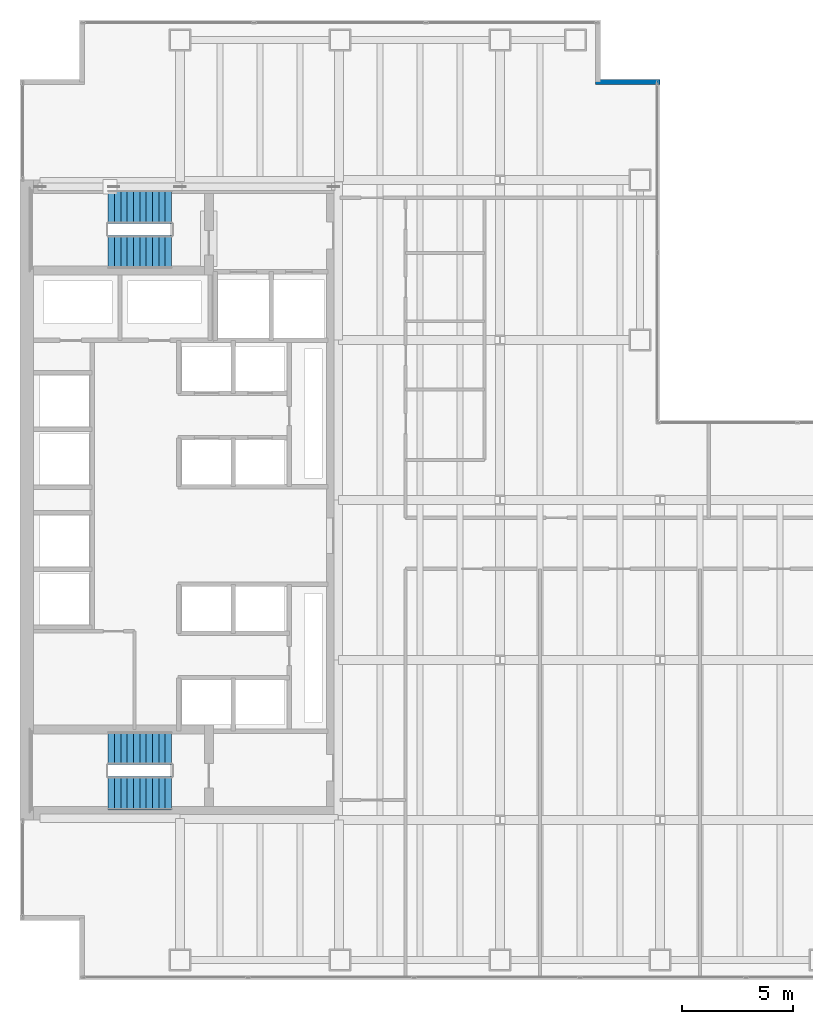
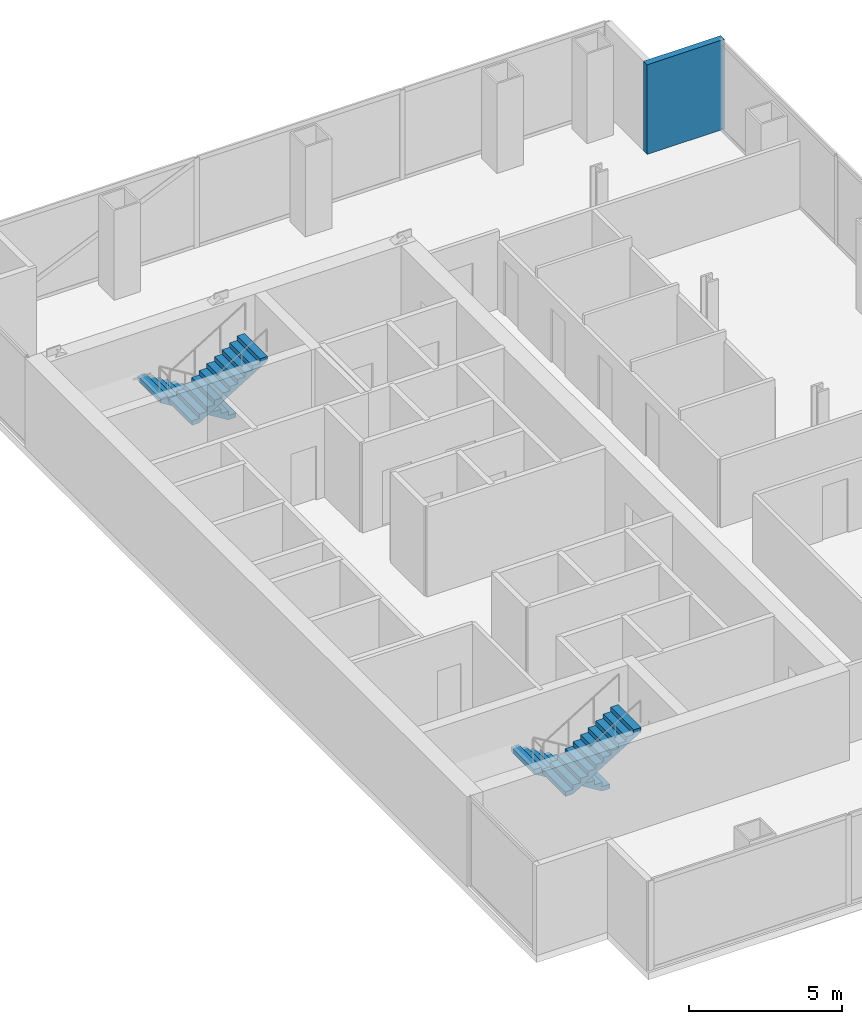
# One storey, part 22 of 23: 4 stair flights, 1 wall, 2 elements without a shape of their own.
"""IFC4 building model written with IfcOpenShell, lengths in metres."""

from ifc_helpers import new_model, si_unit, direction, frame, frame_2d, origin, place, context, subcontext, project, spatial, polyline, rectangle, outline, extrude, material, layer, layer_set, type_object, element, aggregate, save


model = new_model("IFC4")

# Units and contexts
model_context = context("Model", 3, precision=1e-05, world=origin(), true_north=direction((0.0, 1.0)))
body_context = subcontext(model_context, "Body", "Model", "MODEL_VIEW")
ifc_project = project(units=[si_unit("LENGTHUNIT", "METRE"), si_unit("AREAUNIT", "SQUARE_METRE"), si_unit("VOLUMEUNIT", "CUBIC_METRE"), si_unit("PLANEANGLEUNIT", "RADIAN"), si_unit("MASSUNIT", "GRAM", prefix="KILO")], contexts=[model_context])

# Site, building, storey
site_placement = place(None, origin())
site = spatial("IfcSite", under=ifc_project, at=site_placement, CompositionType="ELEMENT")
building_placement = place(site_placement, origin())
building = spatial("IfcBuilding", under=site, at=building_placement, Name="Cobrela Telecom Tower", CompositionType="ELEMENT")
storey_placement = place(building_placement, frame((0.0, 0.0, 54.25)))
storey = spatial("IfcBuildingStorey", under=building, at=storey_placement, Name="L13", CompositionType="ELEMENT", Elevation=54.25)

# Wall
ifc_material = material(Name="Concrete C40/50", Category="concrete")
ifc_layer = layer(ifc_material, 0.239990234375)
ifc_layer_set = layer_set([ifc_layer], Name="Concrete C40/50")
wall_type = type_object("IfcWallType", Name="WALL-EXT-300", PredefinedType="STANDARD", material=ifc_layer_set)
wall_placement = place(storey_placement, frame((25.889892578125, 40.409912109375, 0.0), z_axis=(0.0, 0.0, 1.0), x_axis=(1.0, 0.0, 0.0)))
element("IfcWall", 1, at=wall_placement, inside=storey, type_object=wall_type, Name="L13 Insulated Facade Wall 09", PredefinedType="STANDARD", context=body_context, shape_type="SweptSolid", body=[
    extrude(rectangle(XDim=2.91015625, YDim=0.239990234375, at=frame_2d((1.455078125, 0.0))), origin(), (0.0, 0.0, 1.0), 3.570068359375),
])

# Stair, stair flights
stair_type = type_object("IfcStairType", Name="STAIR-CORE", PredefinedType="HALF_TURN_STAIR", material=ifc_material)
stair_1_placement = place(storey_placement, origin())
stair_1 = element("IfcStair", 2, at=stair_1_placement, inside=storey, type_object=stair_type, Name="L13 Smokeproof Exit Stair ST1", PredefinedType="HALF_TURN_STAIR")
stair_flight_type = type_object("IfcStairFlightType", Name="FLIGHT-CORE", PredefinedType="STRAIGHT", material=ifc_material)
stair_flight_1_placement = place(storey_placement, frame((6.820068359375, 34.800048828125, 0.0), z_axis=(0.0, 0.0, 1.0), x_axis=(-1.0, 0.0, 0.0)))
stair_flight_1 = element("IfcStairFlight", 3, at=stair_flight_1_placement, type_object=stair_flight_type, Name="ST1 flight 1", NumberOfRisers=11, NumberOfTreads=10, PredefinedType="STRAIGHT", RiserHeight=0.175, TreadLength=0.285, context=body_context, shape_type="SweptSolid", body=[
    extrude(outline(polyline([(0.0, 0.0), (0.0, 0.175048828125), (0.284912109375, 0.175048828125), (0.284912109375, 0.35009765625), (0.570068359375, 0.35009765625), (0.570068359375, 0.52490234375), (0.85498046875, 0.52490234375), (0.85498046875, 0.699951171875), (1.139892578125, 0.699951171875), (1.139892578125, 0.875), (1.425048828125, 0.875), (1.425048828125, 1.050048828125), (1.7099609375, 1.050048828125), (1.7099609375, 1.22509765625), (1.9951171875, 1.22509765625), (1.9951171875, 1.39990234375), (2.280029296875, 1.39990234375), (2.280029296875, 1.574951171875), (2.56494140625, 1.574951171875), (2.56494140625, 1.75), (2.85009765625, 1.75), (2.85009765625, 1.925048828125), (2.85009765625, 1.573974609375), (0.286376953125, 0.0), (0.0, 0.0)])), frame((0.0, 0.75, 0.0), z_axis=(0.0, -1.0, 0.0), x_axis=(1.0, 0.0, 0.0)), (0.0, 0.0, 1.0), 1.5),
])
stair_flight_2_placement = place(storey_placement, frame((3.969970703125, 32.75, 1.925048828125), z_axis=(0.0, 0.0, 1.0), x_axis=(1.0, 0.0, 0.0)))
stair_flight_2 = element("IfcStairFlight", 4, at=stair_flight_2_placement, type_object=stair_flight_type, Name="ST1 flight 2", NumberOfRisers=11, NumberOfTreads=10, PredefinedType="STRAIGHT", RiserHeight=0.175, TreadLength=0.285, context=body_context, shape_type="SweptSolid", body=[
    extrude(outline(polyline([(0.0, 0.0), (0.0, 0.175048828125), (0.284912109375, 0.175048828125), (0.284912109375, 0.35009765625), (0.570068359375, 0.35009765625), (0.570068359375, 0.52490234375), (0.85498046875, 0.52490234375), (0.85498046875, 0.699951171875), (1.139892578125, 0.699951171875), (1.139892578125, 0.875), (1.425048828125, 0.875), (1.425048828125, 1.050048828125), (1.7099609375, 1.050048828125), (1.7099609375, 1.22509765625), (1.9951171875, 1.22509765625), (1.9951171875, 1.39990234375), (2.280029296875, 1.39990234375), (2.280029296875, 1.574951171875), (2.56494140625, 1.574951171875), (2.56494140625, 1.75), (2.85009765625, 1.75), (2.85009765625, 1.925048828125), (2.85009765625, 1.573974609375), (0.286376953125, 0.0), (0.0, 0.0)])), frame((0.0, 0.75, 0.0), z_axis=(0.0, -1.0, 0.0), x_axis=(1.0, 0.0, 0.0)), (0.0, 0.0, 1.0), 1.5),
])
aggregate(stair_1, [stair_flight_1, stair_flight_2])

stair_2_placement = place(storey_placement, origin())
stair_2 = element("IfcStair", 5, at=stair_2_placement, inside=storey, type_object=stair_type, Name="L13 Smokeproof Exit Stair ST2", PredefinedType="HALF_TURN_STAIR")
stair_flight_3_placement = place(storey_placement, frame((6.820068359375, 10.449951171875, 0.0), z_axis=(0.0, 0.0, 1.0), x_axis=(-1.0, 0.0, 0.0)))
stair_flight_3 = element("IfcStairFlight", 6, at=stair_flight_3_placement, type_object=stair_flight_type, Name="ST2 flight 1", NumberOfRisers=11, NumberOfTreads=10, PredefinedType="STRAIGHT", RiserHeight=0.175, TreadLength=0.285, context=body_context, shape_type="SweptSolid", body=[
    extrude(outline(polyline([(0.0, 0.0), (0.0, 0.175048828125), (0.284912109375, 0.175048828125), (0.284912109375, 0.35009765625), (0.570068359375, 0.35009765625), (0.570068359375, 0.52490234375), (0.85498046875, 0.52490234375), (0.85498046875, 0.699951171875), (1.139892578125, 0.699951171875), (1.139892578125, 0.875), (1.425048828125, 0.875), (1.425048828125, 1.050048828125), (1.7099609375, 1.050048828125), (1.7099609375, 1.22509765625), (1.9951171875, 1.22509765625), (1.9951171875, 1.39990234375), (2.280029296875, 1.39990234375), (2.280029296875, 1.574951171875), (2.56494140625, 1.574951171875), (2.56494140625, 1.75), (2.85009765625, 1.75), (2.85009765625, 1.925048828125), (2.85009765625, 1.573974609375), (0.286376953125, 0.0), (0.0, 0.0)])), frame((0.0, 0.75, 0.0), z_axis=(0.0, -1.0, 0.0), x_axis=(1.0, 0.0, 0.0)), (0.0, 0.0, 1.0), 1.5),
])
stair_flight_4_placement = place(storey_placement, frame((3.969970703125, 8.39990234375, 1.925048828125), z_axis=(0.0, 0.0, 1.0), x_axis=(1.0, 0.0, 0.0)))
stair_flight_4 = element("IfcStairFlight", 7, at=stair_flight_4_placement, type_object=stair_flight_type, Name="ST2 flight 2", NumberOfRisers=11, NumberOfTreads=10, PredefinedType="STRAIGHT", RiserHeight=0.175, TreadLength=0.285, context=body_context, shape_type="SweptSolid", body=[
    extrude(outline(polyline([(0.0, 0.0), (0.0, 0.175048828125), (0.284912109375, 0.175048828125), (0.284912109375, 0.35009765625), (0.570068359375, 0.35009765625), (0.570068359375, 0.52490234375), (0.85498046875, 0.52490234375), (0.85498046875, 0.699951171875), (1.139892578125, 0.699951171875), (1.139892578125, 0.875), (1.425048828125, 0.875), (1.425048828125, 1.050048828125), (1.7099609375, 1.050048828125), (1.7099609375, 1.22509765625), (1.9951171875, 1.22509765625), (1.9951171875, 1.39990234375), (2.280029296875, 1.39990234375), (2.280029296875, 1.574951171875), (2.56494140625, 1.574951171875), (2.56494140625, 1.75), (2.85009765625, 1.75), (2.85009765625, 1.925048828125), (2.85009765625, 1.573974609375), (0.286376953125, 0.0), (0.0, 0.0)])), frame((0.0, 0.75, 0.0), z_axis=(0.0, -1.0, 0.0), x_axis=(1.0, 0.0, 0.0)), (0.0, 0.0, 1.0), 1.5),
])
aggregate(stair_2, [stair_flight_3, stair_flight_4])

save(model, "model.ifc")
